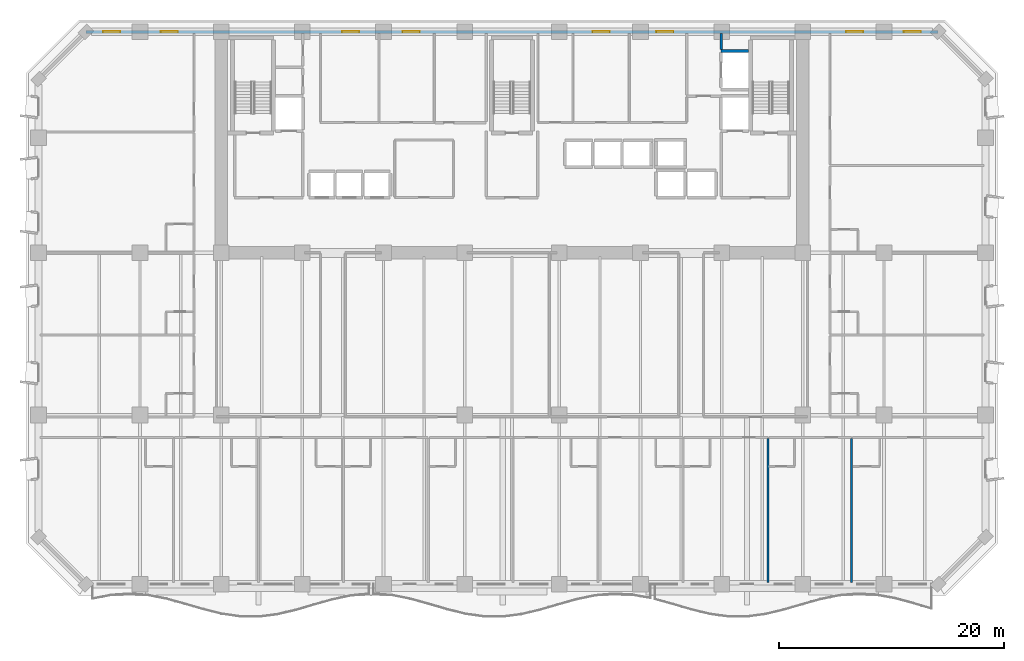
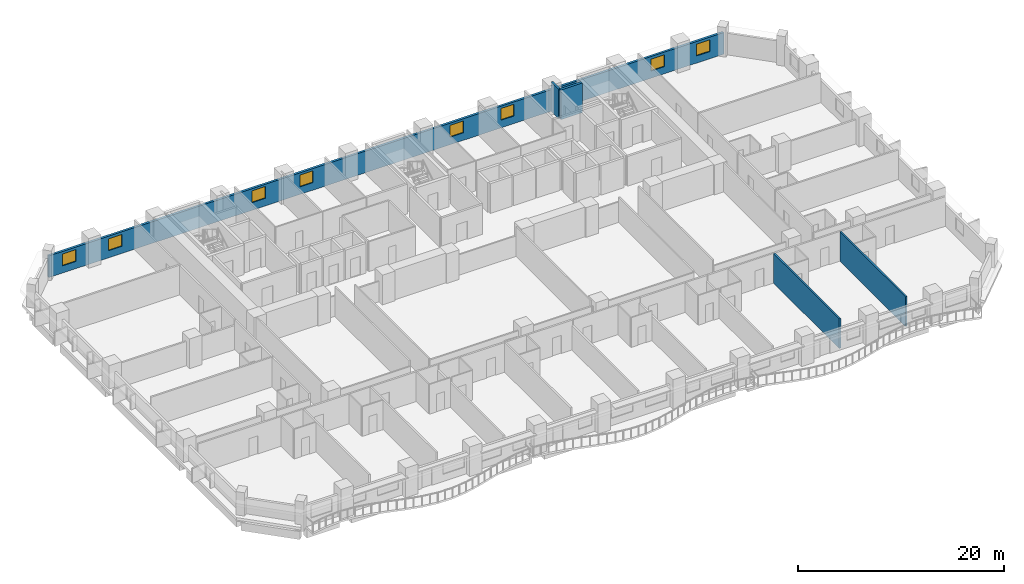
# One storey, part 9 of 15: 8 windows, 5 walls, 8 openings.
"""IFC4 building model written with IfcOpenShell, lengths in metres."""

from ifc_helpers import new_model, si_unit, direction, frame, frame_2d, origin, place, context, subcontext, project, spatial, rectangle, extrude, material, layer, layer_set, type_object, element, fill, save


model = new_model("IFC4")

# Units and contexts
model_context = context("Model", 3, precision=1e-05, world=origin(), true_north=direction((0.0, 1.0)))
body_context = subcontext(model_context, "Body", "Model", "MODEL_VIEW")
ifc_project = project(units=[si_unit("LENGTHUNIT", "METRE"), si_unit("AREAUNIT", "SQUARE_METRE"), si_unit("VOLUMEUNIT", "CUBIC_METRE"), si_unit("PLANEANGLEUNIT", "RADIAN"), si_unit("MASSUNIT", "GRAM", prefix="KILO")], contexts=[model_context])

# Site, building, storey
site_placement = place(None, origin())
site = spatial("IfcSite", under=ifc_project, at=site_placement, CompositionType="ELEMENT")
building_placement = place(site_placement, origin())
building = spatial("IfcBuilding", under=site, at=building_placement, Name="Kaelvorn Grand Hotel", CompositionType="ELEMENT")
storey_placement = place(building_placement, frame((0.0, 0.0, 68.89990234375)))
storey = spatial("IfcBuildingStorey", under=building, at=storey_placement, Name="L15", CompositionType="ELEMENT", Elevation=68.89990234375)

# Wall, openings, windows
ifc_material_1 = material(Name="Concrete C40/50", Category="concrete")
ifc_layer_1 = layer(ifc_material_1, 0.260009765625)
ifc_layer_set_1 = layer_set([ifc_layer_1], Name="Concrete C40/50")
wall_type_1 = type_object("IfcWallType", Name="WL-EXT-260-C40", PredefinedType="SOLIDWALL", material=ifc_layer_set_1)
wall_1_placement = place(storey_placement, frame((79.800048828125, 49.0, 0.0), z_axis=(0.0, 0.0, 1.0), x_axis=(-1.0, 0.0, 0.0)))
wall_1 = element("IfcWall", 1, at=wall_1_placement, inside=storey, type_object=wall_type_1, Name="L15 Exterior Architectural Concrete Wall 05", PredefinedType="SOLIDWALL", context=body_context, shape_type="SweptSolid", body=[
    extrude(rectangle(XDim=75.60009765625, YDim=0.260009765625, at=frame_2d((37.800048828125, 0.0))), origin(), (0.0, 0.0, 1.0), 2.56005859375),
])
opening_1_placement = place(wall_1_placement, frame((72.56494140625, 0.0, 0.85009765625)))
opening_1 = element("IfcOpeningElement", 2, at=opening_1_placement, cuts=wall_1, Name="Opening W10", PredefinedType="OPENING", context=body_context, shape_type="SweptSolid", body=[
    extrude(rectangle(XDim=1.5, YDim=1.39990234375, at=frame_2d((0.75, 0.699951171875))), frame((0.0, 0.14013671875, 0.0), z_axis=(0.0, -1.0, 0.0), x_axis=(1.0, 0.0, 0.0)), (0.0, 0.0, 1.0), 0.280029296875),
])
opening_2_placement = place(wall_1_placement, frame((67.449951171875, 0.0, 0.85009765625)))
opening_2 = element("IfcOpeningElement", 3, at=opening_2_placement, cuts=wall_1, Name="Opening W10", PredefinedType="OPENING", context=body_context, shape_type="SweptSolid", body=[
    extrude(rectangle(XDim=1.5, YDim=1.39990234375, at=frame_2d((0.75, 0.699951171875))), frame((0.0, 0.14013671875, 0.0), z_axis=(0.0, -1.0, 0.0), x_axis=(1.0, 0.0, 0.0)), (0.0, 0.0, 1.0), 0.280029296875),
])
opening_3_placement = place(wall_1_placement, frame((6.64990234375, 0.0, 0.85009765625)))
opening_3 = element("IfcOpeningElement", 4, at=opening_3_placement, cuts=wall_1, Name="Opening W10", PredefinedType="OPENING", context=body_context, shape_type="SweptSolid", body=[
    extrude(rectangle(XDim=1.5, YDim=1.39990234375, at=frame_2d((0.75, 0.699951171875))), frame((0.0, 0.14013671875, 0.0), z_axis=(0.0, -1.0, 0.0), x_axis=(1.0, 0.0, 0.0)), (0.0, 0.0, 1.0), 0.280029296875),
])
opening_4_placement = place(wall_1_placement, frame((1.534912109375, 0.0, 0.85009765625)))
opening_4 = element("IfcOpeningElement", 5, at=opening_4_placement, cuts=wall_1, Name="Opening W10", PredefinedType="OPENING", context=body_context, shape_type="SweptSolid", body=[
    extrude(rectangle(XDim=1.5, YDim=1.39990234375, at=frame_2d((0.75, 0.699951171875))), frame((0.0, 0.14013671875, 0.0), z_axis=(0.0, -1.0, 0.0), x_axis=(1.0, 0.0, 0.0)), (0.0, 0.0, 1.0), 0.280029296875),
])
opening_5_placement = place(wall_1_placement, frame((51.364990234375, 0.0, 0.89990234375)))
opening_5 = element("IfcOpeningElement", 6, at=opening_5_placement, cuts=wall_1, Name="Opening W10", PredefinedType="OPENING", context=body_context, shape_type="SweptSolid", body=[
    extrude(rectangle(XDim=1.5, YDim=1.39990234375, at=frame_2d((0.75, 0.699951171875))), frame((0.0, 0.14013671875, 0.0), z_axis=(0.0, -1.0, 0.0), x_axis=(1.0, 0.0, 0.0)), (0.0, 0.0, 1.0), 0.280029296875),
])
opening_6_placement = place(wall_1_placement, frame((46.0, 0.0, 0.89990234375)))
opening_6 = element("IfcOpeningElement", 7, at=opening_6_placement, cuts=wall_1, Name="Opening W10", PredefinedType="OPENING", context=body_context, shape_type="SweptSolid", body=[
    extrude(rectangle(XDim=1.5, YDim=1.39990234375, at=frame_2d((0.75, 0.699951171875))), frame((0.0, 0.14013671875, 0.0), z_axis=(0.0, -1.0, 0.0), x_axis=(1.0, 0.0, 0.0)), (0.0, 0.0, 1.0), 0.280029296875),
])
opening_7_placement = place(wall_1_placement, frame((29.14990234375, 0.0, 0.89990234375)))
opening_7 = element("IfcOpeningElement", 8, at=opening_7_placement, cuts=wall_1, Name="Opening W10", PredefinedType="OPENING", context=body_context, shape_type="SweptSolid", body=[
    extrude(rectangle(XDim=1.5, YDim=1.39990234375, at=frame_2d((0.75, 0.699951171875))), frame((0.0, 0.14013671875, 0.0), z_axis=(0.0, -1.0, 0.0), x_axis=(1.0, 0.0, 0.0)), (0.0, 0.0, 1.0), 0.280029296875),
])
opening_8_placement = place(wall_1_placement, frame((23.485107421875, 0.0, 0.89990234375)))
opening_8 = element("IfcOpeningElement", 9, at=opening_8_placement, cuts=wall_1, Name="Opening W10", PredefinedType="OPENING", context=body_context, shape_type="SweptSolid", body=[
    extrude(rectangle(XDim=1.5, YDim=1.39990234375, at=frame_2d((0.75, 0.699951171875))), frame((0.0, 0.14013671875, 0.0), z_axis=(0.0, -1.0, 0.0), x_axis=(1.0, 0.0, 0.0)), (0.0, 0.0, 1.0), 0.280029296875),
])
ifc_material_2 = material(Name="Laminated Low-E Glass", Category="glass")
window_type = type_object("IfcWindowType", Name="WIN-COR-1500x1400", PartitioningType="SINGLE_PANEL", PredefinedType="WINDOW", material=ifc_material_2)
window_1_placement = place(opening_1_placement, origin())
window_1 = element("IfcWindow", 10, at=window_1_placement, inside=storey, type_object=window_type, Name="L15 North Wing Ribbon Window NW01", OverallHeight=1.39990234375, OverallWidth=1.5, PartitioningType="SINGLE_PANEL", PredefinedType="WINDOW", context=body_context, shape_type="SweptSolid", body=[
    extrude(rectangle(XDim=1.5, YDim=1.39990234375, at=frame_2d((0.75, 0.699951171875))), frame((0.0, 0.030029296875, 0.0), z_axis=(0.0, -1.0, 0.0), x_axis=(1.0, 0.0, 0.0)), (0.0, 0.0, 1.0), 0.06005859375),
])
fill(opening_1, window_1)
window_2_placement = place(opening_2_placement, origin())
window_2 = element("IfcWindow", 11, at=window_2_placement, inside=storey, type_object=window_type, Name="L15 North Wing Ribbon Window NW02", OverallHeight=1.39990234375, OverallWidth=1.5, PartitioningType="SINGLE_PANEL", PredefinedType="WINDOW", context=body_context, shape_type="SweptSolid", body=[
    extrude(rectangle(XDim=1.5, YDim=1.39990234375, at=frame_2d((0.75, 0.699951171875))), frame((0.0, 0.030029296875, 0.0), z_axis=(0.0, -1.0, 0.0), x_axis=(1.0, 0.0, 0.0)), (0.0, 0.0, 1.0), 0.06005859375),
])
fill(opening_2, window_2)
window_3_placement = place(opening_3_placement, origin())
window_3 = element("IfcWindow", 12, at=window_3_placement, inside=storey, type_object=window_type, Name="L15 North Wing Ribbon Window NW03", OverallHeight=1.39990234375, OverallWidth=1.5, PartitioningType="SINGLE_PANEL", PredefinedType="WINDOW", context=body_context, shape_type="SweptSolid", body=[
    extrude(rectangle(XDim=1.5, YDim=1.39990234375, at=frame_2d((0.75, 0.699951171875))), frame((0.0, 0.030029296875, 0.0), z_axis=(0.0, -1.0, 0.0), x_axis=(1.0, 0.0, 0.0)), (0.0, 0.0, 1.0), 0.06005859375),
])
fill(opening_3, window_3)
window_4_placement = place(opening_4_placement, origin())
window_4 = element("IfcWindow", 13, at=window_4_placement, inside=storey, type_object=window_type, Name="L15 North Wing Ribbon Window NW04", OverallHeight=1.39990234375, OverallWidth=1.5, PartitioningType="SINGLE_PANEL", PredefinedType="WINDOW", context=body_context, shape_type="SweptSolid", body=[
    extrude(rectangle(XDim=1.5, YDim=1.39990234375, at=frame_2d((0.75, 0.699951171875))), frame((0.0, 0.030029296875, 0.0), z_axis=(0.0, -1.0, 0.0), x_axis=(1.0, 0.0, 0.0)), (0.0, 0.0, 1.0), 0.06005859375),
])
fill(opening_4, window_4)
window_5_placement = place(opening_5_placement, origin())
window_5 = element("IfcWindow", 14, at=window_5_placement, inside=storey, type_object=window_type, Name="L15 North Core Clerestory Ribbon Window NC05", OverallHeight=1.39990234375, OverallWidth=1.5, PartitioningType="SINGLE_PANEL", PredefinedType="WINDOW", context=body_context, shape_type="SweptSolid", body=[
    extrude(rectangle(XDim=1.5, YDim=1.39990234375, at=frame_2d((0.75, 0.699951171875))), frame((0.0, 0.030029296875, 0.0), z_axis=(0.0, -1.0, 0.0), x_axis=(1.0, 0.0, 0.0)), (0.0, 0.0, 1.0), 0.06005859375),
])
fill(opening_5, window_5)
window_6_placement = place(opening_6_placement, origin())
window_6 = element("IfcWindow", 15, at=window_6_placement, inside=storey, type_object=window_type, Name="L15 North Core Clerestory Ribbon Window NC06", OverallHeight=1.39990234375, OverallWidth=1.5, PartitioningType="SINGLE_PANEL", PredefinedType="WINDOW", context=body_context, shape_type="SweptSolid", body=[
    extrude(rectangle(XDim=1.5, YDim=1.39990234375, at=frame_2d((0.75, 0.699951171875))), frame((0.0, 0.030029296875, 0.0), z_axis=(0.0, -1.0, 0.0), x_axis=(1.0, 0.0, 0.0)), (0.0, 0.0, 1.0), 0.06005859375),
])
fill(opening_6, window_6)
window_7_placement = place(opening_7_placement, origin())
window_7 = element("IfcWindow", 16, at=window_7_placement, inside=storey, type_object=window_type, Name="L15 North Core Clerestory Ribbon Window NC07", OverallHeight=1.39990234375, OverallWidth=1.5, PartitioningType="SINGLE_PANEL", PredefinedType="WINDOW", context=body_context, shape_type="SweptSolid", body=[
    extrude(rectangle(XDim=1.5, YDim=1.39990234375, at=frame_2d((0.75, 0.699951171875))), frame((0.0, 0.030029296875, 0.0), z_axis=(0.0, -1.0, 0.0), x_axis=(1.0, 0.0, 0.0)), (0.0, 0.0, 1.0), 0.06005859375),
])
fill(opening_7, window_7)
window_8_placement = place(opening_8_placement, origin())
window_8 = element("IfcWindow", 17, at=window_8_placement, inside=storey, type_object=window_type, Name="L15 North Core Clerestory Ribbon Window NC08", OverallHeight=1.39990234375, OverallWidth=1.5, PartitioningType="SINGLE_PANEL", PredefinedType="WINDOW", context=body_context, shape_type="SweptSolid", body=[
    extrude(rectangle(XDim=1.5, YDim=1.39990234375, at=frame_2d((0.75, 0.699951171875))), frame((0.0, 0.030029296875, 0.0), z_axis=(0.0, -1.0, 0.0), x_axis=(1.0, 0.0, 0.0)), (0.0, 0.0, 1.0), 0.06005859375),
])
fill(opening_8, window_8)

# Walls
ifc_material_3 = material(Name="Acoustic Gypsum & Stud Partition")
ifc_layer_2 = layer(ifc_material_3, 0.179931640625)
ifc_layer_set_2 = layer_set([ifc_layer_2], Name="Acoustic Gypsum & Stud Partition")
wall_type_2 = type_object("IfcWallType", Name="WL-PART-180-EI60", PredefinedType="PARTITIONING", material=ifc_layer_set_2)
for number, where, z_axis, x_axis, name in (
    (18, (64.690673828125, 0.14990234375, 0.0), (0.0, 0.0, 1.0), (0.0, 1.0, 0.0), "L15 Deluxe Panoramic Suite L15-08 E Partition"),
    (19, (72.120361328125, 0.14990234375, 0.0), (0.0, 0.0, 1.0), (0.0, 1.0, 0.0), "L15 Deluxe Panoramic Suite L15-09 E Partition"),
):
    element("IfcWall", number, at=place(storey_placement, frame(where, z_axis=z_axis, x_axis=x_axis)), inside=storey, type_object=wall_type_2, Name=name, PredefinedType="PARTITIONING", context=body_context, shape_type="SweptSolid", body=[
        extrude(rectangle(XDim=12.755126953125, YDim=0.179931640625, at=frame_2d((6.37744140625, 0.0))), origin(), (0.0, 0.0, 1.0), 3.510009765625),
    ])
ifc_layer_3 = layer(ifc_material_1, 0.219970703125)
ifc_layer_set_3 = layer_set([ifc_layer_3], Name="Concrete C40/50")
wall_type_3 = type_object("IfcWallType", Name="WL-PART-220-EI120", PredefinedType="PARTITIONING", material=ifc_layer_set_3)
wall_2_placement = place(storey_placement, frame((60.550048828125, 47.445068359375, 0.0), z_axis=(0.0, 0.0, 1.0), x_axis=(0.0, 1.0, 0.0)))
element("IfcWall", 20, at=wall_2_placement, inside=storey, type_object=wall_type_3, Name="L15 Service Lift Lobby E Partition", PredefinedType="PARTITIONING", context=body_context, shape_type="SweptSolid", body=[
    extrude(rectangle(XDim=1.405029296875, YDim=0.219970703125, at=frame_2d((0.70263671875, 0.0))), origin(), (0.0, 0.0, 1.0), 3.510009765625),
])
ifc_material_4 = material(Name="Concrete C50/60", Category="concrete")
ifc_layer_4 = layer(ifc_material_4, 0.280029296875)
ifc_layer_set_4 = layer_set([ifc_layer_4], Name="Concrete C50/60")
wall_type_4 = type_object("IfcWallType", Name="WL-SHAFT-280-C50", PredefinedType="SHEAR", material=ifc_layer_set_4)
wall_3_placement = place(storey_placement, frame((60.550048828125, 47.300048828125, 0.0), z_axis=(0.0, 0.0, 1.0), x_axis=(1.0, 0.0, 0.0)))
element("IfcWall", 21, at=wall_3_placement, inside=storey, type_object=wall_type_4, Name="L15 Lift SV1 Shaft North Wall", PredefinedType="SHEAR", context=body_context, shape_type="SweptSolid", body=[
    extrude(rectangle(XDim=2.4150390625, YDim=0.280029296875, at=frame_2d((1.20751953125, 0.0))), origin(), (0.0, 0.0, 1.0), 3.510009765625),
])

save(model, "model.ifc")
